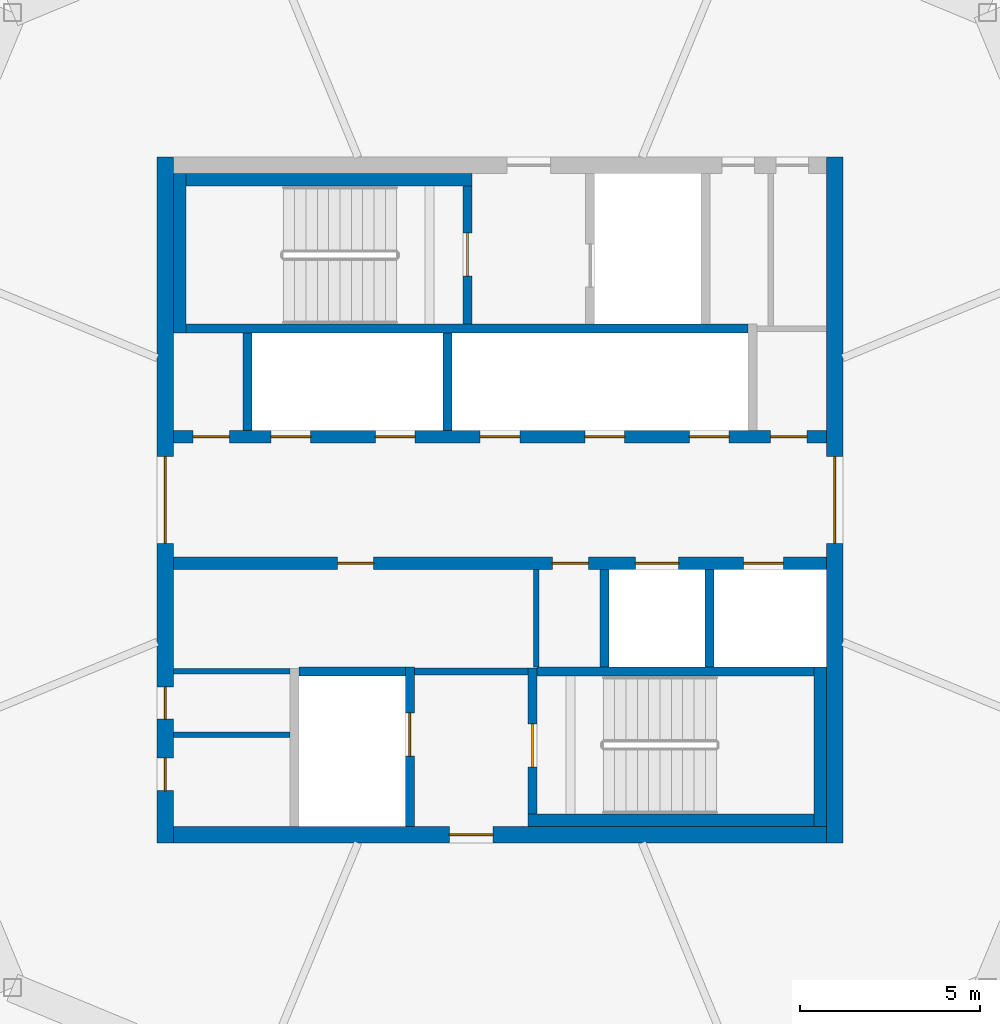
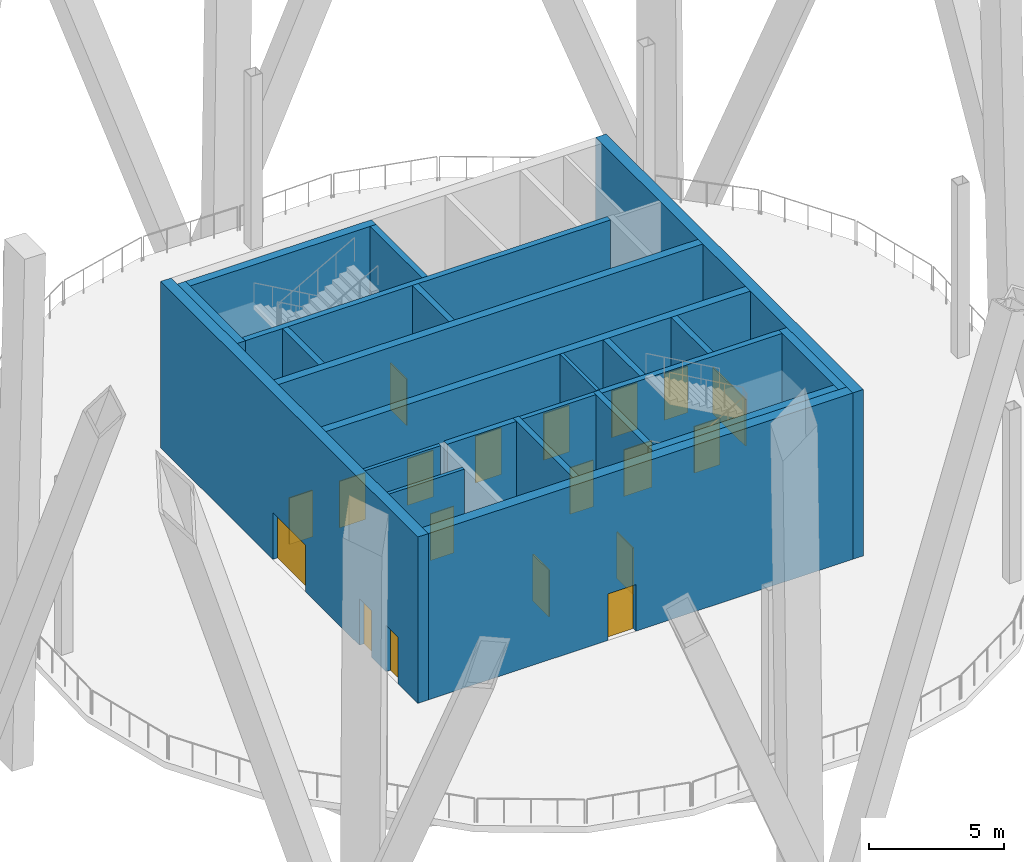
# One storey, part 4 of 13: 23 walls, 19 doors, 19 openings.
"""IFC4 building model written with IfcOpenShell, lengths in metres."""

from ifc_helpers import new_model, si_unit, direction, frame, frame_2d, origin, place, context, subcontext, project, spatial, rectangle, extrude, material, layer, layer_set, type_object, element, fill, save


model = new_model("IFC4")

# Units and contexts
model_context = context("Model", 3, precision=1e-05, world=origin(), true_north=direction((0.0, 1.0)))
body_context = subcontext(model_context, "Body", "Model", "MODEL_VIEW")
ifc_project = project(units=[si_unit("LENGTHUNIT", "METRE"), si_unit("AREAUNIT", "SQUARE_METRE"), si_unit("VOLUMEUNIT", "CUBIC_METRE"), si_unit("PLANEANGLEUNIT", "RADIAN"), si_unit("MASSUNIT", "GRAM", prefix="KILO")], contexts=[model_context])

# Site, building, storey
site_placement = place(None, origin())
site = spatial("IfcSite", under=ifc_project, at=site_placement, CompositionType="ELEMENT")
building_placement = place(site_placement, origin())
building = spatial("IfcBuilding", under=site, at=building_placement, Name="Ogive Gate Towers", CompositionType="ELEMENT")
storey_placement = place(building_placement, frame((0.0, 0.0, 221.10009765625)))
storey = spatial("IfcBuildingStorey", under=building, at=storey_placement, Name="L53", CompositionType="ELEMENT", Elevation=221.10009765625)

# Wall
ifc_material_1 = material(Name="Masonry blockwork", Category="masonry")
ifc_layer_1 = layer(ifc_material_1, 0.199951171875)
ifc_layer_set_1 = layer_set([ifc_layer_1], Name="Blockwork wall 200 mm")
wall_type_1 = type_object("IfcWallType", Name="Blockwork wall 200 mm", PredefinedType="PARTITIONING", material=ifc_layer_set_1)
wall_1_placement = place(storey_placement, frame((-38.375, -4.75, 0.0), z_axis=(0.0, 0.0, 1.0), x_axis=(1.0, 0.0, 0.0)))
element("IfcWall", 1, at=wall_1_placement, inside=storey, type_object=wall_type_1, Name="T1 L53 Blockwork wall 200 mm", PredefinedType="PARTITIONING", context=body_context, shape_type="SweptSolid", body=[
    extrude(rectangle(XDim=3.14990234375, YDim=0.199951171875, at=frame_2d((1.574951171875, 0.0))), origin(), (0.0, 0.0, 1.0), 7.5),
])

# Wall, opening, door
ifc_material_2 = material(Name="Concrete C60/75", Category="concrete")
ifc_layer_2 = layer(ifc_material_2, 0.449951171875)
ifc_layer_set_2 = layer_set([ifc_layer_2], Name="Core wall 450 mm")
wall_type_2 = type_object("IfcWallType", Name="Core wall 450 mm", PredefinedType="SHEAR", material=ifc_layer_set_2)
wall_2_placement = place(storey_placement, frame((-45.050048828125, -9.27490234375, 0.0), z_axis=(0.0, 0.0, 1.0), x_axis=(1.0, 0.0, 0.0)))
wall_2 = element("IfcWall", 2, at=wall_2_placement, inside=storey, type_object=wall_type_2, Name="T1 L53 Core wall 450 mm", PredefinedType="SHEAR", context=body_context, shape_type="SweptSolid", body=[
    extrude(rectangle(XDim=18.10009765625, YDim=0.449951171875, at=frame_2d((9.050048828125, 0.0))), origin(), (0.0, 0.0, 1.0), 7.5),
])
opening_1_placement = place(wall_2_placement, frame((7.64990234375, 0.0, 0.0)))
opening_1 = element("IfcOpeningElement", 3, at=opening_1_placement, cuts=wall_2, Name="Opening KD-T1-L53-19", PredefinedType="OPENING", context=body_context, shape_type="SweptSolid", body=[
    extrude(rectangle(XDim=1.199951171875, YDim=2.10009765625, at=frame_2d((0.60009765625, 1.050048828125))), frame((0.0, 0.23486328125, 0.0), z_axis=(0.0, -1.0, 0.0), x_axis=(1.0, 0.0, 0.0)), (0.0, 0.0, 1.0), 0.469970703125),
])
ifc_material_3 = material(Name="Steel fire door", Category="steel")
door_type_1 = type_object("IfcDoorType", Name="Core door FD60S 1200 x 2100", OperationType="NOTDEFINED", PredefinedType="DOOR", material=ifc_material_3)
door_1_placement = place(opening_1_placement, origin())
door_1 = element("IfcDoor", 4, at=door_1_placement, inside=storey, type_object=door_type_1, Name="T1 L53 Fire-fighting lobby door", OperationType="SINGLE_SWING_RIGHT", OverallHeight=2.10009765625, OverallWidth=1.199951171875, PredefinedType="DOOR", context=body_context, shape_type="SweptSolid", body=[
    extrude(rectangle(XDim=1.199951171875, YDim=2.10009765625, at=frame_2d((0.60009765625, 1.050048828125))), frame((0.0, 0.02490234375, 0.0), z_axis=(0.0, -1.0, 0.0), x_axis=(1.0, 0.0, 0.0)), (0.0, 0.0, 1.0), 0.050048828125),
])
fill(opening_1, door_1)

# Wall, openings, doors
wall_3_placement = place(storey_placement, frame((-45.27490234375, -9.5, 0.0), z_axis=(0.0, 0.0, 1.0), x_axis=(0.0, 1.0, 0.0)))
wall_3 = element("IfcWall", 5, at=wall_3_placement, inside=storey, type_object=wall_type_2, Name="T1 L53 Core wall 450 mm", PredefinedType="SHEAR", context=body_context, shape_type="SweptSolid", body=[
    extrude(rectangle(XDim=19.0, YDim=0.449951171875, at=frame_2d((9.5, 0.0))), origin(), (0.0, 0.0, 1.0), 7.5),
])
opening_2_placement = place(wall_3_placement, frame((8.300048828125, 0.0, 0.0)))
opening_2 = element("IfcOpeningElement", 6, at=opening_2_placement, cuts=wall_3, Name="Opening KD-T1-L53-01", PredefinedType="OPENING", context=body_context, shape_type="SweptSolid", body=[
    extrude(rectangle(XDim=2.39990234375, YDim=2.10009765625, at=frame_2d((1.199951171875, 1.050048828125))), frame((0.0, 0.23486328125, 0.0), z_axis=(0.0, -1.0, 0.0), x_axis=(1.0, 0.0, 0.0)), (0.0, 0.0, 1.0), 0.469970703125),
])
opening_3_placement = place(wall_3_placement, frame((1.449951171875, 0.0, 0.0)))
opening_3 = element("IfcOpeningElement", 7, at=opening_3_placement, cuts=wall_3, Name="Opening KD-T1-L53-22", PredefinedType="OPENING", context=body_context, shape_type="SweptSolid", body=[
    extrude(rectangle(XDim=0.89990234375, YDim=2.10009765625, at=frame_2d((0.449951171875, 1.050048828125))), frame((0.0, 0.23486328125, 0.0), z_axis=(0.0, -1.0, 0.0), x_axis=(1.0, 0.0, 0.0)), (0.0, 0.0, 1.0), 0.469970703125),
])
opening_4_placement = place(wall_3_placement, frame((3.425048828125, 0.0, 0.0)))
opening_4 = element("IfcOpeningElement", 8, at=opening_4_placement, cuts=wall_3, Name="Opening KD-T1-L53-23", PredefinedType="OPENING", context=body_context, shape_type="SweptSolid", body=[
    extrude(rectangle(XDim=0.89990234375, YDim=2.10009765625, at=frame_2d((0.449951171875, 1.050048828125))), frame((0.0, 0.23486328125, 0.0), z_axis=(0.0, -1.0, 0.0), x_axis=(1.0, 0.0, 0.0)), (0.0, 0.0, 1.0), 0.469970703125),
])
door_type_2 = type_object("IfcDoorType", Name="Core door FD60S 900 x 2100", OperationType="NOTDEFINED", PredefinedType="DOOR", material=ifc_material_3)
door_2_placement = place(opening_3_placement, origin())
door_2 = element("IfcDoor", 9, at=door_2_placement, inside=storey, type_object=door_type_2, Name="T1 L53 Core door", OperationType="SINGLE_SWING_LEFT", OverallHeight=2.10009765625, OverallWidth=0.89990234375, PredefinedType="DOOR", context=body_context, shape_type="SweptSolid", body=[
    extrude(rectangle(XDim=0.89990234375, YDim=2.10009765625, at=frame_2d((0.449951171875, 1.050048828125))), frame((0.0, 0.02490234375, 0.0), z_axis=(0.0, -1.0, 0.0), x_axis=(1.0, 0.0, 0.0)), (0.0, 0.0, 1.0), 0.050048828125),
])
fill(opening_3, door_2)
door_3_placement = place(opening_4_placement, origin())
door_3 = element("IfcDoor", 10, at=door_3_placement, inside=storey, type_object=door_type_2, Name="T1 L53 Core door", OperationType="SINGLE_SWING_RIGHT", OverallHeight=2.10009765625, OverallWidth=0.89990234375, PredefinedType="DOOR", context=body_context, shape_type="SweptSolid", body=[
    extrude(rectangle(XDim=0.89990234375, YDim=2.10009765625, at=frame_2d((0.449951171875, 1.050048828125))), frame((0.0, 0.02490234375, 0.0), z_axis=(0.0, -1.0, 0.0), x_axis=(1.0, 0.0, 0.0)), (0.0, 0.0, 1.0), 0.050048828125),
])
fill(opening_4, door_3)
door_type_3 = type_object("IfcDoorType", Name="Core double door FD60S 2400 x 2100", OperationType="DOUBLE_DOOR_SINGLE_SWING", PredefinedType="DOOR", material=ifc_material_3)
door_4_placement = place(opening_2_placement, origin())
door_4 = element("IfcDoor", 11, at=door_4_placement, inside=storey, type_object=door_type_3, Name="T1 L53 Core door double", OperationType="DOUBLE_DOOR_SINGLE_SWING", OverallHeight=2.10009765625, OverallWidth=2.39990234375, PredefinedType="DOOR", context=body_context, shape_type="SweptSolid", body=[
    extrude(rectangle(XDim=2.39990234375, YDim=2.10009765625, at=frame_2d((1.199951171875, 1.050048828125))), frame((0.0, 0.02490234375, 0.0), z_axis=(0.0, -1.0, 0.0), x_axis=(1.0, 0.0, 0.0)), (0.0, 0.0, 1.0), 0.050048828125),
])
fill(opening_2, door_4)

# Wall, opening, door
wall_4_placement = place(storey_placement, frame((-26.72509765625, -9.5, 0.0), z_axis=(0.0, 0.0, 1.0), x_axis=(0.0, 1.0, 0.0)))
wall_4 = element("IfcWall", 12, at=wall_4_placement, inside=storey, type_object=wall_type_2, Name="T1 L53 Core wall 450 mm", PredefinedType="SHEAR", context=body_context, shape_type="SweptSolid", body=[
    extrude(rectangle(XDim=19.0, YDim=0.449951171875, at=frame_2d((9.5, 0.0))), origin(), (0.0, 0.0, 1.0), 7.5),
])
opening_5_placement = place(wall_4_placement, frame((8.300048828125, 0.0, 0.0)))
opening_5 = element("IfcOpeningElement", 13, at=opening_5_placement, cuts=wall_4, Name="Opening KD-T1-L53-02", PredefinedType="OPENING", context=body_context, shape_type="SweptSolid", body=[
    extrude(rectangle(XDim=2.39990234375, YDim=2.10009765625, at=frame_2d((1.199951171875, 1.050048828125))), frame((0.0, 0.23486328125, 0.0), z_axis=(0.0, -1.0, 0.0), x_axis=(1.0, 0.0, 0.0)), (0.0, 0.0, 1.0), 0.469970703125),
])
door_5_placement = place(opening_5_placement, origin())
door_5 = element("IfcDoor", 14, at=door_5_placement, inside=storey, type_object=door_type_3, Name="T1 L53 Core door double", OperationType="DOUBLE_DOOR_SINGLE_SWING", OverallHeight=2.10009765625, OverallWidth=2.39990234375, PredefinedType="DOOR", context=body_context, shape_type="SweptSolid", body=[
    extrude(rectangle(XDim=2.39990234375, YDim=2.10009765625, at=frame_2d((1.199951171875, 1.050048828125))), frame((0.0, 0.02490234375, 0.0), z_axis=(0.0, -1.0, 0.0), x_axis=(1.0, 0.0, 0.0)), (0.0, 0.0, 1.0), 0.050048828125),
])
fill(opening_5, door_5)

# Walls
ifc_material_4 = material(Name="Gypsum board partition")
ifc_layer_3 = layer(ifc_material_4, 0.14990234375)
ifc_layer_set_3 = layer_set([ifc_layer_3], Name="Room partition 150 mm")
wall_type_3 = type_object("IfcWallType", Name="Room partition 150 mm", PredefinedType="PARTITIONING", material=ifc_layer_set_3)
for number, where, z_axis, x_axis, name in (
    (15, (-45.050048828125, -6.5, 0.0), (0.0, 0.0, 1.0), (1.0, 0.0, 0.0), "T1 L53 Room partition 150 mm"),
    (16, (-45.050048828125, -4.75, 0.0), (0.0, 0.0, 1.0), (1.0, 0.0, 0.0), "T1 L53 Room partition 150 mm"),
):
    element("IfcWall", number, at=place(storey_placement, frame(where, z_axis=z_axis, x_axis=x_axis)), inside=storey, type_object=wall_type_3, Name=name, PredefinedType="PARTITIONING", context=body_context, shape_type="SweptSolid", body=[
        extrude(rectangle(XDim=3.22509765625, YDim=0.14990234375, at=frame_2d((1.612548828125, 0.0))), origin(), (0.0, 0.0, 1.0), 7.5),
    ])
wall_5_placement = place(storey_placement, frame((-35.0, -4.625, 0.0), z_axis=(0.0, 0.0, 1.0), x_axis=(0.0, 1.0, 0.0)))
element("IfcWall", 17, at=wall_5_placement, inside=storey, type_object=wall_type_3, Name="T1 L53 Room partition 150 mm", PredefinedType="PARTITIONING", context=body_context, shape_type="SweptSolid", body=[
    extrude(rectangle(XDim=2.699951171875, YDim=0.14990234375, at=frame_2d((1.35009765625, 0.0))), origin(), (0.0, 0.0, 1.0), 7.5),
])
ifc_layer_4 = layer(ifc_material_2, 0.25)
ifc_layer_set_4 = layer_set([ifc_layer_4], Name="Shaft wall 250 mm")
wall_type_4 = type_object("IfcWallType", Name="Shaft wall 250 mm", PredefinedType="SHEAR", material=ifc_layer_set_4)
wall_6_placement = place(storey_placement, frame((-41.574951171875, -4.75, 0.0), z_axis=(0.0, 0.0, 1.0), x_axis=(1.0, 0.0, 0.0)))
element("IfcWall", 18, at=wall_6_placement, inside=storey, type_object=wall_type_4, Name="T1 L53 Shaft wall 250 mm", PredefinedType="SHEAR", context=body_context, shape_type="SweptSolid", body=[
    extrude(rectangle(XDim=2.949951171875, YDim=0.25, at=frame_2d((1.47509765625, 0.0))), origin(), (0.0, 0.0, 1.0), 7.5),
])
wall_7_placement = place(storey_placement, frame((-34.97509765625, -4.75, 0.0), z_axis=(0.0, 0.0, 1.0), x_axis=(1.0, 0.0, 0.0)))
element("IfcWall", 19, at=wall_7_placement, inside=storey, type_object=wall_type_4, Name="T1 L53 Shaft wall 250 mm", PredefinedType="SHEAR", context=body_context, shape_type="SweptSolid", body=[
    extrude(rectangle(XDim=7.675048828125, YDim=0.25, at=frame_2d((3.83740234375, 0.0))), origin(), (0.0, 0.0, 1.0), 7.5),
])
wall_8_placement = place(storey_placement, frame((-44.699951171875, 4.75, 0.0), z_axis=(0.0, 0.0, 1.0), x_axis=(1.0, 0.0, 0.0)))
element("IfcWall", 20, at=wall_8_placement, inside=storey, type_object=wall_type_4, Name="T1 L53 Shaft wall 250 mm", PredefinedType="SHEAR", context=body_context, shape_type="SweptSolid", body=[
    extrude(rectangle(XDim=15.574951171875, YDim=0.25, at=frame_2d((7.78759765625, 0.0))), origin(), (0.0, 0.0, 1.0), 7.5),
])
wall_9_placement = place(storey_placement, frame((-43.0, 1.925048828125, 0.0), z_axis=(0.0, 0.0, 1.0), x_axis=(0.0, 1.0, 0.0)))
element("IfcWall", 21, at=wall_9_placement, inside=storey, type_object=wall_type_4, Name="T1 L53 Shaft wall 250 mm", PredefinedType="SHEAR", context=body_context, shape_type="SweptSolid", body=[
    extrude(rectangle(XDim=2.699951171875, YDim=0.25, at=frame_2d((1.35009765625, 0.0))), origin(), (0.0, 0.0, 1.0), 7.5),
])

# Wall, opening, door
wall_10_placement = place(storey_placement, frame((-38.5, -9.050048828125, 0.0), z_axis=(0.0, 0.0, 1.0), x_axis=(0.0, 1.0, 0.0)))
wall_10 = element("IfcWall", 22, at=wall_10_placement, inside=storey, type_object=wall_type_4, Name="T1 L53 Shaft wall 250 mm", PredefinedType="SHEAR", context=body_context, shape_type="SweptSolid", body=[
    extrude(rectangle(XDim=4.425048828125, YDim=0.25, at=frame_2d((2.21240234375, 0.0))), origin(), (0.0, 0.0, 1.0), 7.5),
])
opening_6_placement = place(wall_10_placement, frame((1.949951171875, 0.0, 0.0)))
opening_6 = element("IfcOpeningElement", 23, at=opening_6_placement, cuts=wall_10, Name="Opening LD-T1-L53-13", PredefinedType="OPENING", context=body_context, shape_type="SweptSolid", body=[
    extrude(rectangle(XDim=1.199951171875, YDim=2.10009765625, at=frame_2d((0.60009765625, 1.050048828125))), frame((0.0, 0.135009765625, 0.0), z_axis=(0.0, -1.0, 0.0), x_axis=(1.0, 0.0, 0.0)), (0.0, 0.0, 1.0), 0.27001953125),
])
ifc_material_5 = material(Name="Stainless steel landing door", Category="steel")
door_type_4 = type_object("IfcDoorType", Name="Landing door 1200 x 2100", OperationType="SLIDING_TO_LEFT", PredefinedType="DOOR", material=ifc_material_5)
door_6_placement = place(opening_6_placement, origin())
door_6 = element("IfcDoor", 24, at=door_6_placement, inside=storey, type_object=door_type_4, Name="T1 L53 Lift landing door FF2", OperationType="SLIDING_TO_LEFT", OverallHeight=2.10009765625, OverallWidth=1.199951171875, PredefinedType="DOOR", context=body_context, shape_type="SweptSolid", body=[
    extrude(rectangle(XDim=1.199951171875, YDim=2.10009765625, at=frame_2d((0.60009765625, 1.050048828125))), frame((0.0, 0.02490234375, 0.0), z_axis=(0.0, -1.0, 0.0), x_axis=(1.0, 0.0, 0.0)), (0.0, 0.0, 1.0), 0.050048828125),
])
fill(opening_6, door_6)

# Wall
wall_11_placement = place(storey_placement, frame((-37.449951171875, 1.925048828125, 0.0), z_axis=(0.0, 0.0, 1.0), x_axis=(0.0, 1.0, 0.0)))
element("IfcWall", 25, at=wall_11_placement, inside=storey, type_object=wall_type_4, Name="T1 L53 Shaft wall 250 mm", PredefinedType="SHEAR", context=body_context, shape_type="SweptSolid", body=[
    extrude(rectangle(XDim=2.699951171875, YDim=0.25, at=frame_2d((1.35009765625, 0.0))), origin(), (0.0, 0.0, 1.0), 7.5),
])

# Wall, opening, door
wall_12_placement = place(storey_placement, frame((-36.89990234375, 4.875, 0.0), z_axis=(0.0, 0.0, 1.0), x_axis=(0.0, 1.0, 0.0)))
wall_12 = element("IfcWall", 26, at=wall_12_placement, inside=storey, type_object=wall_type_4, Name="T1 L53 Shaft wall 250 mm", PredefinedType="SHEAR", context=body_context, shape_type="SweptSolid", body=[
    extrude(rectangle(XDim=3.824951171875, YDim=0.25, at=frame_2d((1.91259765625, 0.0))), origin(), (0.0, 0.0, 1.0), 7.5),
])
opening_7_placement = place(wall_12_placement, frame((1.324951171875, 0.0, 0.0)))
opening_7 = element("IfcOpeningElement", 27, at=opening_7_placement, cuts=wall_12, Name="Opening KD-T1-L53-16", PredefinedType="OPENING", context=body_context, shape_type="SweptSolid", body=[
    extrude(rectangle(XDim=1.199951171875, YDim=2.10009765625, at=frame_2d((0.60009765625, 1.050048828125))), frame((0.0, 0.135009765625, 0.0), z_axis=(0.0, -1.0, 0.0), x_axis=(1.0, 0.0, 0.0)), (0.0, 0.0, 1.0), 0.27001953125),
])
door_7_placement = place(opening_7_placement, origin())
door_7 = element("IfcDoor", 28, at=door_7_placement, inside=storey, type_object=door_type_1, Name="T1 L53 Stair door", OperationType="SINGLE_SWING_LEFT", OverallHeight=2.10009765625, OverallWidth=1.199951171875, PredefinedType="DOOR", context=body_context, shape_type="SweptSolid", body=[
    extrude(rectangle(XDim=1.199951171875, YDim=2.10009765625, at=frame_2d((0.60009765625, 1.050048828125))), frame((0.0, 0.02490234375, 0.0), z_axis=(0.0, -1.0, 0.0), x_axis=(1.0, 0.0, 0.0)), (0.0, 0.0, 1.0), 0.050048828125),
])
fill(opening_7, door_7)

wall_13_placement = place(storey_placement, frame((-35.10009765625, -8.699951171875, 0.0), z_axis=(0.0, 0.0, 1.0), x_axis=(0.0, 1.0, 0.0)))
wall_13 = element("IfcWall", 29, at=wall_13_placement, inside=storey, type_object=wall_type_4, Name="T1 L53 Shaft wall 250 mm", PredefinedType="SHEAR", context=body_context, shape_type="SweptSolid", body=[
    extrude(rectangle(XDim=4.050048828125, YDim=0.25, at=frame_2d((2.02490234375, 0.0))), origin(), (0.0, 0.0, 1.0), 7.5),
])
opening_8_placement = place(wall_13_placement, frame((1.300048828125, 0.0, 0.0)))
opening_8 = element("IfcOpeningElement", 30, at=opening_8_placement, cuts=wall_13, Name="Opening KD-T1-L53-17", PredefinedType="OPENING", context=body_context, shape_type="SweptSolid", body=[
    extrude(rectangle(XDim=1.199951171875, YDim=2.10009765625, at=frame_2d((0.60009765625, 1.050048828125))), frame((0.0, 0.135009765625, 0.0), z_axis=(0.0, -1.0, 0.0), x_axis=(1.0, 0.0, 0.0)), (0.0, 0.0, 1.0), 0.27001953125),
])
door_8_placement = place(opening_8_placement, origin())
door_8 = element("IfcDoor", 31, at=door_8_placement, inside=storey, type_object=door_type_1, Name="T1 L53 Stair door", OperationType="SINGLE_SWING_RIGHT", OverallHeight=2.10009765625, OverallWidth=1.199951171875, PredefinedType="DOOR", context=body_context, shape_type="SweptSolid", body=[
    extrude(rectangle(XDim=1.199951171875, YDim=2.10009765625, at=frame_2d((0.60009765625, 1.050048828125))), frame((0.0, 0.02490234375, 0.0), z_axis=(0.0, -1.0, 0.0), x_axis=(1.0, 0.0, 0.0)), (0.0, 0.0, 1.0), 0.050048828125),
])
fill(opening_8, door_8)

# Walls
for number, where, z_axis, x_axis, name in (
    (32, (-33.10009765625, -4.625, 0.0), (0.0, 0.0, 1.0), (0.0, 1.0, 0.0), "T1 L53 Shaft wall 250 mm"),
    (33, (-30.199951171875, -4.625, 0.0), (0.0, 0.0, 1.0), (0.0, 1.0, 0.0), "T1 L53 Shaft wall 250 mm"),
):
    element("IfcWall", number, at=place(storey_placement, frame(where, z_axis=z_axis, x_axis=x_axis)), inside=storey, type_object=wall_type_4, Name=name, PredefinedType="SHEAR", context=body_context, shape_type="SweptSolid", body=[
        extrude(rectangle(XDim=2.699951171875, YDim=0.25, at=frame_2d((1.35009765625, 0.0))), origin(), (0.0, 0.0, 1.0), 7.5),
    ])

# Wall, openings, doors
ifc_layer_5 = layer(ifc_material_2, 0.35009765625)
ifc_layer_set_5 = layer_set([ifc_layer_5], Name="Spine wall 350 mm")
wall_type_5 = type_object("IfcWallType", Name="Spine wall 350 mm", PredefinedType="SHEAR", material=ifc_layer_set_5)
wall_14_placement = place(storey_placement, frame((-45.050048828125, -1.75, 0.0), z_axis=(0.0, 0.0, 1.0), x_axis=(1.0, 0.0, 0.0)))
wall_14 = element("IfcWall", 34, at=wall_14_placement, inside=storey, type_object=wall_type_5, Name="T1 L53 Spine wall 350 mm", PredefinedType="SHEAR", context=body_context, shape_type="SweptSolid", body=[
    extrude(rectangle(XDim=18.10009765625, YDim=0.35009765625, at=frame_2d((9.050048828125, 0.0))), origin(), (0.0, 0.0, 1.0), 7.5),
])
opening_9_placement = place(wall_14_placement, frame((12.800048828125, 0.0, 0.0)))
opening_9 = element("IfcOpeningElement", 35, at=opening_9_placement, cuts=wall_14, Name="Opening LD-T1-L53-10", PredefinedType="OPENING", context=body_context, shape_type="SweptSolid", body=[
    extrude(rectangle(XDim=1.199951171875, YDim=2.10009765625, at=frame_2d((0.60009765625, 1.050048828125))), frame((0.0, 0.18505859375, 0.0), z_axis=(0.0, -1.0, 0.0), x_axis=(1.0, 0.0, 0.0)), (0.0, 0.0, 1.0), 0.3701171875),
])
opening_10_placement = place(wall_14_placement, frame((15.800048828125, 0.0, 0.0)))
opening_10 = element("IfcOpeningElement", 36, at=opening_10_placement, cuts=wall_14, Name="Opening LD-T1-L53-11", PredefinedType="OPENING", context=body_context, shape_type="SweptSolid", body=[
    extrude(rectangle(XDim=1.10009765625, YDim=2.10009765625, at=frame_2d((0.550048828125, 1.050048828125))), frame((0.0, 0.18505859375, 0.0), z_axis=(0.0, -1.0, 0.0), x_axis=(1.0, 0.0, 0.0)), (0.0, 0.0, 1.0), 0.3701171875),
])
opening_11_placement = place(wall_14_placement, frame((4.550048828125, 0.0, 0.0)))
opening_11 = element("IfcOpeningElement", 37, at=opening_11_placement, cuts=wall_14, Name="Opening KD-T1-L53-14", PredefinedType="OPENING", context=body_context, shape_type="SweptSolid", body=[
    extrude(rectangle(XDim=1.0, YDim=2.10009765625, at=frame_2d((0.5, 1.050048828125))), frame((0.0, 0.18505859375, 0.0), z_axis=(0.0, -1.0, 0.0), x_axis=(1.0, 0.0, 0.0)), (0.0, 0.0, 1.0), 0.3701171875),
])
opening_12_placement = place(wall_14_placement, frame((10.5, 0.0, 0.0)))
opening_12 = element("IfcOpeningElement", 38, at=opening_12_placement, cuts=wall_14, Name="Opening KD-T1-L53-15", PredefinedType="OPENING", context=body_context, shape_type="SweptSolid", body=[
    extrude(rectangle(XDim=1.0, YDim=2.10009765625, at=frame_2d((0.5, 1.050048828125))), frame((0.0, 0.18505859375, 0.0), z_axis=(0.0, -1.0, 0.0), x_axis=(1.0, 0.0, 0.0)), (0.0, 0.0, 1.0), 0.3701171875),
])
door_type_5 = type_object("IfcDoorType", Name="Core door FD60S 1000 x 2100", OperationType="NOTDEFINED", PredefinedType="DOOR", material=ifc_material_3)
door_9_placement = place(opening_11_placement, origin())
door_9 = element("IfcDoor", 39, at=door_9_placement, inside=storey, type_object=door_type_5, Name="T1 L53 Core door", OperationType="SINGLE_SWING_LEFT", OverallHeight=2.10009765625, OverallWidth=1.0, PredefinedType="DOOR", context=body_context, shape_type="SweptSolid", body=[
    extrude(rectangle(XDim=1.0, YDim=2.10009765625, at=frame_2d((0.5, 1.050048828125))), frame((0.0, 0.02490234375, 0.0), z_axis=(0.0, -1.0, 0.0), x_axis=(1.0, 0.0, 0.0)), (0.0, 0.0, 1.0), 0.050048828125),
])
fill(opening_11, door_9)
door_10_placement = place(opening_12_placement, origin())
door_10 = element("IfcDoor", 40, at=door_10_placement, inside=storey, type_object=door_type_5, Name="T1 L53 Core door", OperationType="SINGLE_SWING_RIGHT", OverallHeight=2.10009765625, OverallWidth=1.0, PredefinedType="DOOR", context=body_context, shape_type="SweptSolid", body=[
    extrude(rectangle(XDim=1.0, YDim=2.10009765625, at=frame_2d((0.5, 1.050048828125))), frame((0.0, 0.02490234375, 0.0), z_axis=(0.0, -1.0, 0.0), x_axis=(1.0, 0.0, 0.0)), (0.0, 0.0, 1.0), 0.050048828125),
])
fill(opening_12, door_10)
door_type_6 = type_object("IfcDoorType", Name="Landing door 1100 x 2100", OperationType="SLIDING_TO_LEFT", PredefinedType="DOOR", material=ifc_material_5)
door_11_placement = place(opening_10_placement, origin())
door_11 = element("IfcDoor", 41, at=door_11_placement, inside=storey, type_object=door_type_6, Name="T1 L53 Lift landing door B6", OperationType="SLIDING_TO_LEFT", OverallHeight=2.10009765625, OverallWidth=1.10009765625, PredefinedType="DOOR", context=body_context, shape_type="SweptSolid", body=[
    extrude(rectangle(XDim=1.10009765625, YDim=2.10009765625, at=frame_2d((0.550048828125, 1.050048828125))), frame((0.0, 0.02490234375, 0.0), z_axis=(0.0, -1.0, 0.0), x_axis=(1.0, 0.0, 0.0)), (0.0, 0.0, 1.0), 0.050048828125),
])
fill(opening_10, door_11)
door_12_placement = place(opening_9_placement, origin())
door_12 = element("IfcDoor", 42, at=door_12_placement, inside=storey, type_object=door_type_4, Name="T1 L53 Lift landing door SVC", OperationType="SLIDING_TO_LEFT", OverallHeight=2.10009765625, OverallWidth=1.199951171875, PredefinedType="DOOR", context=body_context, shape_type="SweptSolid", body=[
    extrude(rectangle(XDim=1.199951171875, YDim=2.10009765625, at=frame_2d((0.60009765625, 1.050048828125))), frame((0.0, 0.02490234375, 0.0), z_axis=(0.0, -1.0, 0.0), x_axis=(1.0, 0.0, 0.0)), (0.0, 0.0, 1.0), 0.050048828125),
])
fill(opening_9, door_12)

wall_15_placement = place(storey_placement, frame((-45.050048828125, 1.75, 0.0), z_axis=(0.0, 0.0, 1.0), x_axis=(1.0, 0.0, 0.0)))
wall_15 = element("IfcWall", 43, at=wall_15_placement, inside=storey, type_object=wall_type_5, Name="T1 L53 Spine wall 350 mm", PredefinedType="SHEAR", context=body_context, shape_type="SweptSolid", body=[
    extrude(rectangle(XDim=18.10009765625, YDim=0.35009765625, at=frame_2d((9.050048828125, 0.0))), origin(), (0.0, 0.0, 1.0), 7.5),
])
opening_13_placement = place(wall_15_placement, frame((0.550048828125, 0.0, 0.0)))
opening_13 = element("IfcOpeningElement", 44, at=opening_13_placement, cuts=wall_15, Name="Opening KD-T1-L53-03", PredefinedType="OPENING", context=body_context, shape_type="SweptSolid", body=[
    extrude(rectangle(XDim=1.0, YDim=2.10009765625, at=frame_2d((0.5, 1.050048828125))), frame((0.0, 0.18505859375, 0.0), z_axis=(0.0, -1.0, 0.0), x_axis=(1.0, 0.0, 0.0)), (0.0, 0.0, 1.0), 0.3701171875),
])
opening_14_placement = place(wall_15_placement, frame((2.699951171875, 0.0, 0.0)))
opening_14 = element("IfcOpeningElement", 45, at=opening_14_placement, cuts=wall_15, Name="Opening LD-T1-L53-04", PredefinedType="OPENING", context=body_context, shape_type="SweptSolid", body=[
    extrude(rectangle(XDim=1.10009765625, YDim=2.10009765625, at=frame_2d((0.550048828125, 1.050048828125))), frame((0.0, 0.18505859375, 0.0), z_axis=(0.0, -1.0, 0.0), x_axis=(1.0, 0.0, 0.0)), (0.0, 0.0, 1.0), 0.3701171875),
])
opening_15_placement = place(wall_15_placement, frame((5.60009765625, 0.0, 0.0)))
opening_15 = element("IfcOpeningElement", 46, at=opening_15_placement, cuts=wall_15, Name="Opening LD-T1-L53-05", PredefinedType="OPENING", context=body_context, shape_type="SweptSolid", body=[
    extrude(rectangle(XDim=1.10009765625, YDim=2.10009765625, at=frame_2d((0.550048828125, 1.050048828125))), frame((0.0, 0.18505859375, 0.0), z_axis=(0.0, -1.0, 0.0), x_axis=(1.0, 0.0, 0.0)), (0.0, 0.0, 1.0), 0.3701171875),
])
opening_16_placement = place(wall_15_placement, frame((8.5, 0.0, 0.0)))
opening_16 = element("IfcOpeningElement", 47, at=opening_16_placement, cuts=wall_15, Name="Opening LD-T1-L53-06", PredefinedType="OPENING", context=body_context, shape_type="SweptSolid", body=[
    extrude(rectangle(XDim=1.10009765625, YDim=2.10009765625, at=frame_2d((0.550048828125, 1.050048828125))), frame((0.0, 0.18505859375, 0.0), z_axis=(0.0, -1.0, 0.0), x_axis=(1.0, 0.0, 0.0)), (0.0, 0.0, 1.0), 0.3701171875),
])
opening_17_placement = place(wall_15_placement, frame((11.39990234375, 0.0, 0.0)))
opening_17 = element("IfcOpeningElement", 48, at=opening_17_placement, cuts=wall_15, Name="Opening LD-T1-L53-07", PredefinedType="OPENING", context=body_context, shape_type="SweptSolid", body=[
    extrude(rectangle(XDim=1.10009765625, YDim=2.10009765625, at=frame_2d((0.550048828125, 1.050048828125))), frame((0.0, 0.18505859375, 0.0), z_axis=(0.0, -1.0, 0.0), x_axis=(1.0, 0.0, 0.0)), (0.0, 0.0, 1.0), 0.3701171875),
])
opening_18_placement = place(wall_15_placement, frame((14.300048828125, 0.0, 0.0)))
opening_18 = element("IfcOpeningElement", 49, at=opening_18_placement, cuts=wall_15, Name="Opening LD-T1-L53-08", PredefinedType="OPENING", context=body_context, shape_type="SweptSolid", body=[
    extrude(rectangle(XDim=1.10009765625, YDim=2.10009765625, at=frame_2d((0.550048828125, 1.050048828125))), frame((0.0, 0.18505859375, 0.0), z_axis=(0.0, -1.0, 0.0), x_axis=(1.0, 0.0, 0.0)), (0.0, 0.0, 1.0), 0.3701171875),
])
opening_19_placement = place(wall_15_placement, frame((16.550048828125, 0.0, 0.0)))
opening_19 = element("IfcOpeningElement", 50, at=opening_19_placement, cuts=wall_15, Name="Opening KD-T1-L53-09", PredefinedType="OPENING", context=body_context, shape_type="SweptSolid", body=[
    extrude(rectangle(XDim=1.0, YDim=2.10009765625, at=frame_2d((0.5, 1.050048828125))), frame((0.0, 0.18505859375, 0.0), z_axis=(0.0, -1.0, 0.0), x_axis=(1.0, 0.0, 0.0)), (0.0, 0.0, 1.0), 0.3701171875),
])
door_13_placement = place(opening_13_placement, origin())
door_13 = element("IfcDoor", 51, at=door_13_placement, inside=storey, type_object=door_type_5, Name="T1 L53 Core door", OperationType="SINGLE_SWING_RIGHT", OverallHeight=2.10009765625, OverallWidth=1.0, PredefinedType="DOOR", context=body_context, shape_type="SweptSolid", body=[
    extrude(rectangle(XDim=1.0, YDim=2.10009765625, at=frame_2d((0.5, 1.050048828125))), frame((0.0, 0.02490234375, 0.0), z_axis=(0.0, -1.0, 0.0), x_axis=(1.0, 0.0, 0.0)), (0.0, 0.0, 1.0), 0.050048828125),
])
fill(opening_13, door_13)
door_14_placement = place(opening_19_placement, origin())
door_14 = element("IfcDoor", 52, at=door_14_placement, inside=storey, type_object=door_type_5, Name="T1 L53 Core door", OperationType="SINGLE_SWING_RIGHT", OverallHeight=2.10009765625, OverallWidth=1.0, PredefinedType="DOOR", context=body_context, shape_type="SweptSolid", body=[
    extrude(rectangle(XDim=1.0, YDim=2.10009765625, at=frame_2d((0.5, 1.050048828125))), frame((0.0, 0.02490234375, 0.0), z_axis=(0.0, -1.0, 0.0), x_axis=(1.0, 0.0, 0.0)), (0.0, 0.0, 1.0), 0.050048828125),
])
fill(opening_19, door_14)
door_15_placement = place(opening_14_placement, origin())
door_15 = element("IfcDoor", 53, at=door_15_placement, inside=storey, type_object=door_type_6, Name="T1 L53 Lift landing door B1", OperationType="SLIDING_TO_LEFT", OverallHeight=2.10009765625, OverallWidth=1.10009765625, PredefinedType="DOOR", context=body_context, shape_type="SweptSolid", body=[
    extrude(rectangle(XDim=1.10009765625, YDim=2.10009765625, at=frame_2d((0.550048828125, 1.050048828125))), frame((0.0, 0.02490234375, 0.0), z_axis=(0.0, -1.0, 0.0), x_axis=(1.0, 0.0, 0.0)), (0.0, 0.0, 1.0), 0.050048828125),
])
fill(opening_14, door_15)
door_16_placement = place(opening_15_placement, origin())
door_16 = element("IfcDoor", 54, at=door_16_placement, inside=storey, type_object=door_type_6, Name="T1 L53 Lift landing door B2", OperationType="SLIDING_TO_LEFT", OverallHeight=2.10009765625, OverallWidth=1.10009765625, PredefinedType="DOOR", context=body_context, shape_type="SweptSolid", body=[
    extrude(rectangle(XDim=1.10009765625, YDim=2.10009765625, at=frame_2d((0.550048828125, 1.050048828125))), frame((0.0, 0.02490234375, 0.0), z_axis=(0.0, -1.0, 0.0), x_axis=(1.0, 0.0, 0.0)), (0.0, 0.0, 1.0), 0.050048828125),
])
fill(opening_15, door_16)
door_17_placement = place(opening_16_placement, origin())
door_17 = element("IfcDoor", 55, at=door_17_placement, inside=storey, type_object=door_type_6, Name="T1 L53 Lift landing door B3", OperationType="SLIDING_TO_LEFT", OverallHeight=2.10009765625, OverallWidth=1.10009765625, PredefinedType="DOOR", context=body_context, shape_type="SweptSolid", body=[
    extrude(rectangle(XDim=1.10009765625, YDim=2.10009765625, at=frame_2d((0.550048828125, 1.050048828125))), frame((0.0, 0.02490234375, 0.0), z_axis=(0.0, -1.0, 0.0), x_axis=(1.0, 0.0, 0.0)), (0.0, 0.0, 1.0), 0.050048828125),
])
fill(opening_16, door_17)
door_18_placement = place(opening_17_placement, origin())
door_18 = element("IfcDoor", 56, at=door_18_placement, inside=storey, type_object=door_type_6, Name="T1 L53 Lift landing door B4", OperationType="SLIDING_TO_LEFT", OverallHeight=2.10009765625, OverallWidth=1.10009765625, PredefinedType="DOOR", context=body_context, shape_type="SweptSolid", body=[
    extrude(rectangle(XDim=1.10009765625, YDim=2.10009765625, at=frame_2d((0.550048828125, 1.050048828125))), frame((0.0, 0.02490234375, 0.0), z_axis=(0.0, -1.0, 0.0), x_axis=(1.0, 0.0, 0.0)), (0.0, 0.0, 1.0), 0.050048828125),
])
fill(opening_17, door_18)
door_19_placement = place(opening_18_placement, origin())
door_19 = element("IfcDoor", 57, at=door_19_placement, inside=storey, type_object=door_type_6, Name="T1 L53 Lift landing door B5", OperationType="SLIDING_TO_LEFT", OverallHeight=2.10009765625, OverallWidth=1.10009765625, PredefinedType="DOOR", context=body_context, shape_type="SweptSolid", body=[
    extrude(rectangle(XDim=1.10009765625, YDim=2.10009765625, at=frame_2d((0.550048828125, 1.050048828125))), frame((0.0, 0.02490234375, 0.0), z_axis=(0.0, -1.0, 0.0), x_axis=(1.0, 0.0, 0.0)), (0.0, 0.0, 1.0), 0.050048828125),
])
fill(opening_18, door_19)

# Walls
ifc_layer_6 = layer(ifc_material_2, 0.35009765625)
ifc_layer_set_6 = layer_set([ifc_layer_6], Name="Stair wall 350 mm")
wall_type_6 = type_object("IfcWallType", Name="Stair wall 350 mm", PredefinedType="SHEAR", material=ifc_layer_set_6)
for number, where, z_axis, x_axis, name in (
    (58, (-35.22509765625, -8.875, 0.0), (0.0, 0.0, 1.0), (1.0, 0.0, 0.0), "T1 L53 Stair wall 350 mm"),
    (59, (-44.699951171875, 8.875, 0.0), (0.0, 0.0, 1.0), (1.0, 0.0, 0.0), "T1 L53 Stair wall 350 mm"),
):
    element("IfcWall", number, at=place(storey_placement, frame(where, z_axis=z_axis, x_axis=x_axis)), inside=storey, type_object=wall_type_6, Name=name, PredefinedType="SHEAR", context=body_context, shape_type="SweptSolid", body=[
        extrude(rectangle(XDim=7.925048828125, YDim=0.35009765625, at=frame_2d((3.96240234375, 0.0))), origin(), (0.0, 0.0, 1.0), 7.5),
    ])
for number, where, z_axis, x_axis, name in (
    (60, (-44.875, 4.625, 0.0), (0.0, 0.0, 1.0), (0.0, 1.0, 0.0), "T1 L53 Stair wall 350 mm"),
    (61, (-27.125, -9.050048828125, 0.0), (0.0, 0.0, 1.0), (0.0, 1.0, 0.0), "T1 L53 Stair wall 350 mm"),
):
    element("IfcWall", number, at=place(storey_placement, frame(where, z_axis=z_axis, x_axis=x_axis)), inside=storey, type_object=wall_type_6, Name=name, PredefinedType="SHEAR", context=body_context, shape_type="SweptSolid", body=[
        extrude(rectangle(XDim=4.425048828125, YDim=0.35009765625, at=frame_2d((2.21240234375, 0.0))), origin(), (0.0, 0.0, 1.0), 7.5),
    ])

save(model, "model.ifc")
